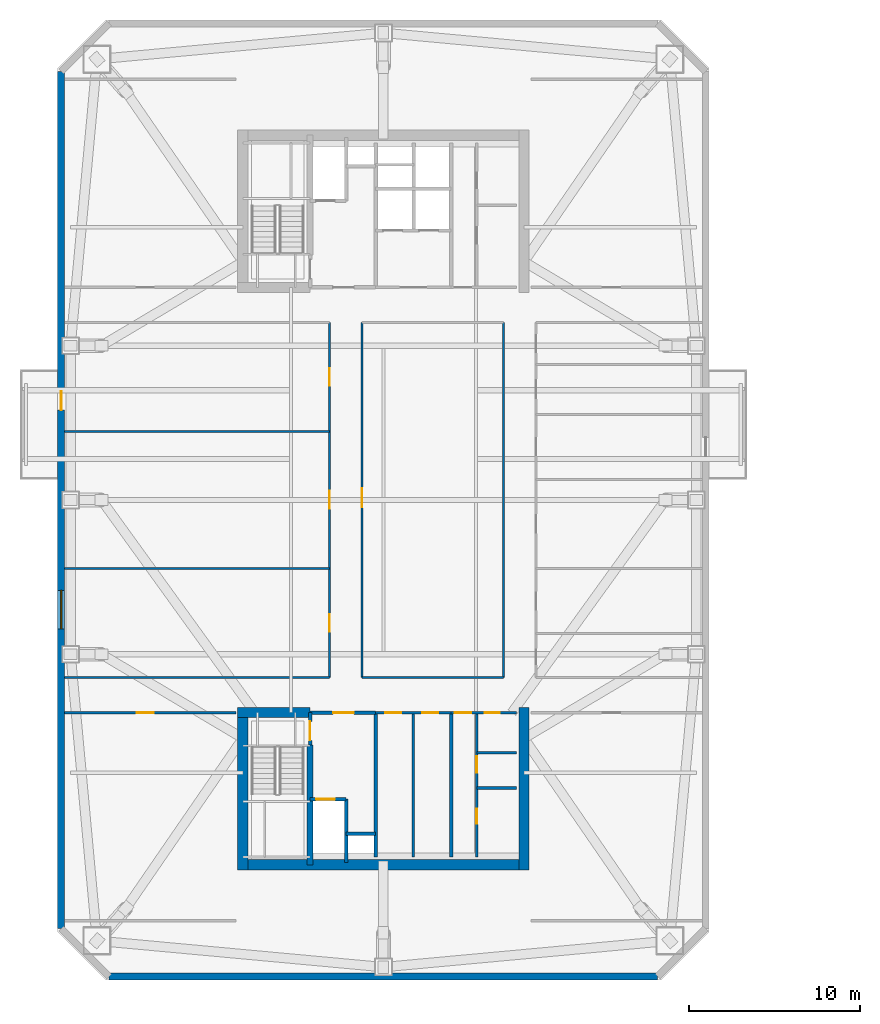
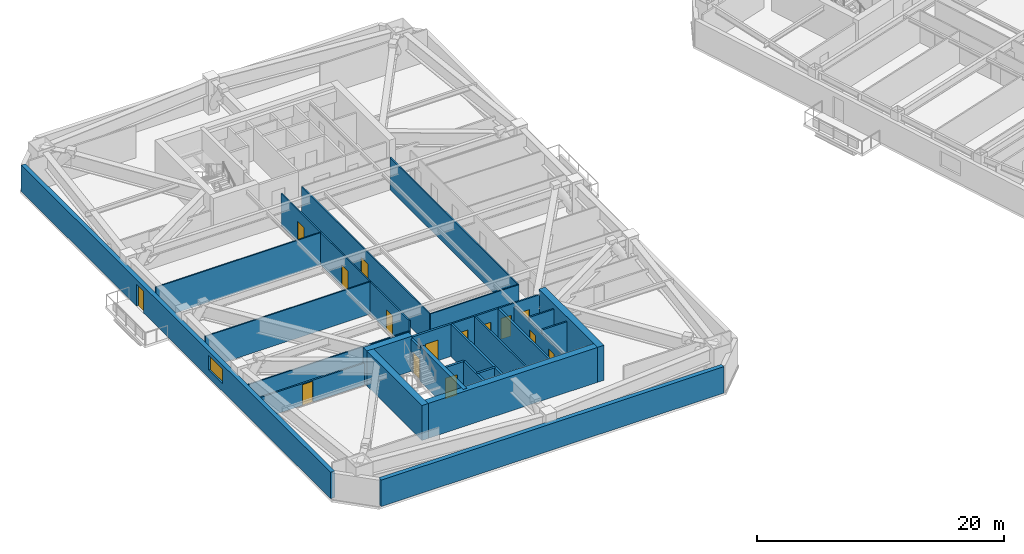
# One storey, part 6 of 17: 28 walls, 15 doors, 1 window, 16 openings.
"""IFC4 building model written with IfcOpenShell, lengths in metres."""

from ifc_helpers import new_model, si_unit, direction, frame, frame_2d, origin, place, context, subcontext, project, spatial, rectangle, extrude, material, layer, layer_set, type_object, element, fill, save


model = new_model("IFC4")

# Units and contexts
model_context = context("Model", 3, precision=1e-05, world=origin(), true_north=direction((0.0, 1.0)))
body_context = subcontext(model_context, "Body", "Model", "MODEL_VIEW")
ifc_project = project(units=[si_unit("LENGTHUNIT", "METRE"), si_unit("AREAUNIT", "SQUARE_METRE"), si_unit("VOLUMEUNIT", "CUBIC_METRE"), si_unit("PLANEANGLEUNIT", "RADIAN"), si_unit("MASSUNIT", "GRAM", prefix="KILO")], contexts=[model_context])

# Site, building, storey
site_placement = place(None, origin())
site = spatial("IfcSite", under=ifc_project, at=site_placement, CompositionType="ELEMENT")
building_placement = place(site_placement, origin())
building = spatial("IfcBuilding", under=site, at=building_placement, Name="Qiaolan Cultural Towers", CompositionType="ELEMENT")
storey_placement = place(building_placement, frame((0.0, 0.0, 156.39990234375)))
storey = spatial("IfcBuildingStorey", under=building, at=storey_placement, Name="L41", CompositionType="ELEMENT", Elevation=156.39990234375)

# Walls
ifc_material_1 = material(Name="Concrete C50", Category="concrete")
ifc_layer_1 = layer(ifc_material_1, 0.35009765625)
ifc_layer_set_1 = layer_set([ifc_layer_1], Name="Concrete C50")
wall_type_1 = type_object("IfcWallType", Name="WL-CORE-350", PredefinedType="SHEAR", material=ifc_layer_set_1)
wall_1_placement = place(storey_placement, frame((25.719970703125, 19.699951171875, 0.0), z_axis=(0.0, 0.0, 1.0), x_axis=(0.0, -1.0, 0.0)))
element("IfcWall", 1, at=wall_1_placement, inside=storey, type_object=wall_type_1, Name="L41 T1-CS Stair Core Dividing Web", PredefinedType="SHEAR", context=body_context, shape_type="SweptSolid", body=[
    extrude(rectangle(XDim=6.97998046875, YDim=0.35009765625, at=frame_2d((3.489990234375, 0.0))), origin(), (0.0, 0.0, 1.0), 3.4501953125),
])
ifc_material_2 = material(Name="Concrete C55", Category="concrete")
ifc_layer_2 = layer(ifc_material_2, 0.60009765625)
ifc_layer_set_2 = layer_set([ifc_layer_2], Name="Concrete C55")
wall_type_2 = type_object("IfcWallType", Name="WL-CORE-600", PredefinedType="SHEAR", material=ifc_layer_set_2)
wall_2_placement = place(storey_placement, frame((21.5, 12.719970703125, 0.0), z_axis=(0.0, 0.0, 1.0), x_axis=(1.0, 0.0, 0.0)))
element("IfcWall", 2, at=wall_2_placement, inside=storey, type_object=wall_type_2, Name="L41 T1-CS Outer Core Shear Wall", PredefinedType="SHEAR", context=body_context, shape_type="SweptSolid", body=[
    extrude(rectangle(XDim=17.0, YDim=0.60009765625, at=frame_2d((8.5, 0.0))), origin(), (0.0, 0.0, 1.0), 3.4501953125),
])
for number, where, z_axis, x_axis, name in (
    (3, (21.800048828125, 21.89990234375, 0.0), (0.0, 0.0, 1.0), (0.0, -1.0, 0.0), "L41 T1-CS West Core Shear Wall"),
    (4, (38.199951171875, 21.89990234375, 0.0), (0.0, 0.0, 1.0), (0.0, -1.0, 0.0), "L41 T1-CS East Core Shear Wall"),
):
    element("IfcWall", number, at=place(storey_placement, frame(where, z_axis=z_axis, x_axis=x_axis)), inside=storey, type_object=wall_type_2, Name=name, PredefinedType="SHEAR", context=body_context, shape_type="SweptSolid", body=[
        extrude(rectangle(XDim=9.47998046875, YDim=0.60009765625, at=frame_2d((4.739990234375, 0.0))), origin(), (0.0, 0.0, 1.0), 3.4501953125),
    ])
wall_3_placement = place(storey_placement, frame((21.5, 21.60009765625, 0.0), z_axis=(0.0, 0.0, 1.0), x_axis=(1.0, 0.0, 0.0)))
element("IfcWall", 5, at=wall_3_placement, inside=storey, type_object=wall_type_2, Name="L41 T1-CS Stair Front Shear Wall", PredefinedType="SHEAR", context=body_context, shape_type="SweptSolid", body=[
    extrude(rectangle(XDim=4.219970703125, YDim=0.60009765625, at=frame_2d((2.10986328125, 0.0))), origin(), (0.0, 0.0, 1.0), 3.4501953125),
])

# Wall, openings, door, window
ifc_material_3 = material(Name="Precast Concrete C50 Honed Stone Pier", Category="masonry")
ifc_layer_3 = layer(ifc_material_3, 0.39990234375)
ifc_layer_set_3 = layer_set([ifc_layer_3], Name="Precast Concrete C50 Honed Stone Pier")
wall_type_3 = type_object("IfcWallType", Name="WL-EXT-PIER-400", PredefinedType="SOLIDWALL", material=ifc_layer_set_3)
wall_4_placement = place(storey_placement, frame((11.199951171875, 9.0, 0.0), z_axis=(0.0, 0.0, 1.0), x_axis=(0.0, 1.0, 0.0)))
wall_4 = element("IfcWall", 6, at=wall_4_placement, inside=storey, type_object=wall_type_3, Name="L41 West Tower Precast Pier Facade Wall F1", PredefinedType="SOLIDWALL", context=body_context, shape_type="SweptSolid", body=[
    extrude(rectangle(XDim=50.0, YDim=0.39990234375, at=frame_2d((25.0, 0.0))), origin(), (0.0, 0.0, 1.0), 2.610107421875),
])
opening_1_placement = place(wall_4_placement, frame((17.47509765625, 0.0, 0.75)))
opening_1 = element("IfcOpeningElement", 7, at=opening_1_placement, cuts=wall_4, Name="Opening W-03", PredefinedType="OPENING", context=body_context, shape_type="SweptSolid", body=[
    extrude(rectangle(XDim=2.25, YDim=1.4599609375, at=frame_2d((1.125, 0.72998046875))), frame((0.0, 0.2099609375, 0.0), z_axis=(0.0, -1.0, 0.0), x_axis=(1.0, 0.0, 0.0)), (0.0, 0.0, 1.0), 0.419921875),
])
opening_2_placement = place(wall_4_placement, frame((30.25, 0.0, 0.0)))
opening_2 = element("IfcOpeningElement", 8, at=opening_2_placement, cuts=wall_4, Name="Opening BD-01", PredefinedType="OPENING", context=body_context, shape_type="SweptSolid", body=[
    extrude(rectangle(XDim=1.10009765625, YDim=2.14990234375, at=frame_2d((0.550048828125, 1.074951171875))), frame((0.0, 0.2099609375, 0.0), z_axis=(0.0, -1.0, 0.0), x_axis=(1.0, 0.0, 0.0)), (0.0, 0.0, 1.0), 0.419921875),
])
ifc_material_4 = material(Name="Thermally Broken Aluminium Glazed Terrace Door", Category="aluminium")
door_type_1 = type_object("IfcDoorType", Name="DR-BAL-1100", OperationType="NOTDEFINED", PredefinedType="DOOR", material=ifc_material_4)
door_1_placement = place(opening_2_placement, origin())
door_1 = element("IfcDoor", 9, at=door_1_placement, inside=storey, type_object=door_type_1, Name="L41 T1 West Tree Balcony Door", OperationType="SINGLE_SWING_LEFT", OverallHeight=2.14990234375, OverallWidth=1.10009765625, PredefinedType="DOOR", context=body_context, shape_type="SweptSolid", body=[
    extrude(rectangle(XDim=1.10009765625, YDim=2.14990234375, at=frame_2d((0.550048828125, 1.074951171875))), frame((0.0, 0.02490234375, 0.0), z_axis=(0.0, -1.0, 0.0), x_axis=(1.0, 0.0, 0.0)), (0.0, 0.0, 1.0), 0.050048828125),
])
fill(opening_2, door_1)
ifc_material_5 = material(Name="Thermally Broken Aluminium Triple Low-E Glazing", Category="aluminium")
window_type = type_object("IfcWindowType", Name="WN-CHIC-2250", PartitioningType="SINGLE_PANEL", PredefinedType="WINDOW", material=ifc_material_5)
window_placement = place(opening_1_placement, origin())
window = element("IfcWindow", 10, at=window_placement, inside=storey, type_object=window_type, Name="L41 T1 W Chicago Bay Window 1", OverallHeight=1.4599609375, OverallWidth=2.25, PartitioningType="TRIPLE_PANEL_VERTICAL", PredefinedType="WINDOW", context=body_context, shape_type="SweptSolid", body=[
    extrude(rectangle(XDim=2.25, YDim=1.4599609375, at=frame_2d((1.125, 0.72998046875))), frame((0.0, 0.030029296875, 0.0), z_axis=(0.0, -1.0, 0.0), x_axis=(1.0, 0.0, 0.0)), (0.0, 0.0, 1.0), 0.06005859375),
])
fill(opening_1, window)

# Wall
wall_5_placement = place(storey_placement, frame((46.0, 6.199951171875, 0.0), z_axis=(0.0, 0.0, 1.0), x_axis=(-1.0, 0.0, 0.0)))
element("IfcWall", 11, at=wall_5_placement, inside=storey, type_object=wall_type_3, Name="L41 West Tower Precast Pier Facade Wall F7", PredefinedType="SOLIDWALL", context=body_context, shape_type="SweptSolid", body=[
    extrude(rectangle(XDim=32.0, YDim=0.39990234375, at=frame_2d((16.0, 0.0))), origin(), (0.0, 0.0, 1.0), 2.610107421875),
])

# Wall, opening, door
ifc_material_6 = material(Name="Concrete C35 Fire Wall", Category="concrete")
ifc_layer_4 = layer(ifc_material_6, 0.199951171875)
ifc_layer_set_4 = layer_set([ifc_layer_4], Name="Concrete C35 Fire Wall")
wall_type_4 = type_object("IfcWallType", Name="WL-FIRE-200", PredefinedType="PARTITIONING", material=ifc_layer_set_4)
wall_6_placement = place(storey_placement, frame((25.719970703125, 21.60009765625, 0.0), z_axis=(0.0, 0.0, 1.0), x_axis=(0.0, -1.0, 0.0)))
wall_6 = element("IfcWall", 12, at=wall_6_placement, inside=storey, type_object=wall_type_4, Name="L41 T1-CS Smokeproof Stair Entry Wall", PredefinedType="PARTITIONING", context=body_context, shape_type="SweptSolid", body=[
    extrude(rectangle(XDim=1.900146484375, YDim=0.199951171875, at=frame_2d((0.9501953125, 0.0))), origin(), (0.0, 0.0, 1.0), 3.175048828125),
])
opening_3_placement = place(wall_6_placement, frame((0.52001953125, 0.0, 0.0)))
opening_3 = element("IfcOpeningElement", 13, at=opening_3_placement, cuts=wall_6, Name="Opening FD-04", PredefinedType="OPENING", context=body_context, shape_type="SweptSolid", body=[
    extrude(rectangle(XDim=1.10009765625, YDim=2.050048828125, at=frame_2d((0.550048828125, 1.02490234375))), frame((0.0, 0.10986328125, 0.0), z_axis=(0.0, -1.0, 0.0), x_axis=(1.0, 0.0, 0.0)), (0.0, 0.0, 1.0), 0.219970703125),
])
ifc_material_7 = material(Name="Galvanized Steel Command Fire Door", Category="steel")
door_type_2 = type_object("IfcDoorType", Name="DR-FD90-1100", OperationType="NOTDEFINED", PredefinedType="DOOR", material=ifc_material_7)
door_2_placement = place(opening_3_placement, origin())
door_2 = element("IfcDoor", 14, at=door_2_placement, inside=storey, type_object=door_type_2, Name="L41 ST-W1 Smokeproof Stair Fire Door", OperationType="SINGLE_SWING_LEFT", OverallHeight=2.050048828125, OverallWidth=1.10009765625, PredefinedType="DOOR", context=body_context, shape_type="SweptSolid", body=[
    extrude(rectangle(XDim=1.10009765625, YDim=2.050048828125, at=frame_2d((0.550048828125, 1.02490234375))), frame((0.0, 0.02490234375, 0.0), z_axis=(0.0, -1.0, 0.0), x_axis=(1.0, 0.0, 0.0)), (0.0, 0.0, 1.0), 0.050048828125),
])
fill(opening_3, door_2)

# Wall
wall_7_placement = place(storey_placement, frame((29.550048828125, 21.60009765625, 0.0), z_axis=(0.0, 0.0, 1.0), x_axis=(0.0, -1.0, 0.0)))
element("IfcWall", 15, at=wall_7_placement, inside=storey, type_object=wall_type_4, Name="L41 T1-CS Firefighting Zone Wall", PredefinedType="PARTITIONING", context=body_context, shape_type="SweptSolid", body=[
    extrude(rectangle(XDim=8.43017578125, YDim=0.199951171875, at=frame_2d((4.215087890625, 0.0))), origin(), (0.0, 0.0, 1.0), 3.175048828125),
])

# Wall, opening, door
wall_8_placement = place(storey_placement, frame((25.719970703125, 21.60009765625, 0.0), z_axis=(0.0, 0.0, 1.0), x_axis=(1.0, 0.0, 0.0)))
wall_8 = element("IfcWall", 16, at=wall_8_placement, inside=storey, type_object=wall_type_4, Name="L41 T1-CS Firefighting Lobby Front Wall", PredefinedType="PARTITIONING", context=body_context, shape_type="SweptSolid", body=[
    extrude(rectangle(XDim=3.830078125, YDim=0.199951171875, at=frame_2d((1.9150390625, 0.0))), origin(), (0.0, 0.0, 1.0), 3.175048828125),
])
opening_4_placement = place(wall_8_placement, frame((1.35009765625, 0.0, 0.0)))
opening_4 = element("IfcOpeningElement", 17, at=opening_4_placement, cuts=wall_8, Name="Opening FD-03", PredefinedType="OPENING", context=body_context, shape_type="SweptSolid", body=[
    extrude(rectangle(XDim=1.199951171875, YDim=2.050048828125, at=frame_2d((0.60009765625, 1.02490234375))), frame((0.0, 0.10986328125, 0.0), z_axis=(0.0, -1.0, 0.0), x_axis=(1.0, 0.0, 0.0)), (0.0, 0.0, 1.0), 0.219970703125),
])
ifc_material_8 = material(Name="Galvanized Steel Smokeproof Lobby Fire Door", Category="steel")
door_type_3 = type_object("IfcDoorType", Name="DR-FD90-1200", OperationType="NOTDEFINED", PredefinedType="DOOR", material=ifc_material_8)
door_3_placement = place(opening_4_placement, origin())
door_3 = element("IfcDoor", 18, at=door_3_placement, inside=storey, type_object=door_type_3, Name="L41 FFL-W1 Firefighting Lobby Fire Door", OperationType="SINGLE_SWING_LEFT", OverallHeight=2.050048828125, OverallWidth=1.199951171875, PredefinedType="DOOR", context=body_context, shape_type="SweptSolid", body=[
    extrude(rectangle(XDim=1.199951171875, YDim=2.050048828125, at=frame_2d((0.60009765625, 1.02490234375))), frame((0.0, 0.02490234375, 0.0), z_axis=(0.0, -1.0, 0.0), x_axis=(1.0, 0.0, 0.0)), (0.0, 0.0, 1.0), 0.050048828125),
])
fill(opening_4, door_3)

wall_9_placement = place(storey_placement, frame((25.719970703125, 16.550048828125, 0.0), z_axis=(0.0, 0.0, 1.0), x_axis=(1.0, 0.0, 0.0)))
wall_9 = element("IfcWall", 19, at=wall_9_placement, inside=storey, type_object=wall_type_4, Name="L41 T1-CS Firefighting Shaft Front Wall", PredefinedType="PARTITIONING", context=body_context, shape_type="SweptSolid", body=[
    extrude(rectangle(XDim=2.10009765625, YDim=0.199951171875, at=frame_2d((1.050048828125, 0.0))), origin(), (0.0, 0.0, 1.0), 3.175048828125),
])
opening_5_placement = place(wall_9_placement, frame((0.35009765625, 0.0, 0.0)))
opening_5 = element("IfcOpeningElement", 20, at=opening_5_placement, cuts=wall_9, Name="Opening LD-01", PredefinedType="OPENING", context=body_context, shape_type="SweptSolid", body=[
    extrude(rectangle(XDim=1.10009765625, YDim=2.050048828125, at=frame_2d((0.550048828125, 1.02490234375))), frame((0.0, 0.10986328125, 0.0), z_axis=(0.0, -1.0, 0.0), x_axis=(1.0, 0.0, 0.0)), (0.0, 0.0, 1.0), 0.219970703125),
])
ifc_material_9 = material(Name="Brushed Stainless Steel S30408 Centre-Parting Lift Landing Door", Category="steel")
door_type_4 = type_object("IfcDoorType", Name="DR-LIFT-1100", OperationType="NOTDEFINED", PredefinedType="DOOR", material=ifc_material_9)
door_4_placement = place(opening_5_placement, origin())
door_4 = element("IfcDoor", 21, at=door_4_placement, inside=storey, type_object=door_type_4, Name="L41 FFL-W1 Firefighting Lift Landing Door", OperationType="DOUBLE_DOOR_SLIDING", OverallHeight=2.050048828125, OverallWidth=1.10009765625, PredefinedType="DOOR", context=body_context, shape_type="SweptSolid", body=[
    extrude(rectangle(XDim=1.10009765625, YDim=2.050048828125, at=frame_2d((0.550048828125, 1.02490234375))), frame((0.0, 0.02490234375, 0.0), z_axis=(0.0, -1.0, 0.0), x_axis=(1.0, 0.0, 0.0)), (0.0, 0.0, 1.0), 0.050048828125),
])
fill(opening_5, door_4)

# Walls
wall_10_placement = place(storey_placement, frame((27.820068359375, 16.550048828125, 0.0), z_axis=(0.0, 0.0, 1.0), x_axis=(0.0, -1.0, 0.0)))
element("IfcWall", 22, at=wall_10_placement, inside=storey, type_object=wall_type_4, Name="L41 T1-CS Firefighting Hoistway East Wall", PredefinedType="PARTITIONING", context=body_context, shape_type="SweptSolid", body=[
    extrude(rectangle(XDim=3.699951171875, YDim=0.199951171875, at=frame_2d((1.85009765625, 0.0))), origin(), (0.0, 0.0, 1.0), 3.175048828125),
])
wall_11_placement = place(storey_placement, frame((27.820068359375, 14.52001953125, 0.0), z_axis=(0.0, 0.0, 1.0), x_axis=(1.0, 0.0, 0.0)))
element("IfcWall", 23, at=wall_11_placement, inside=storey, type_object=wall_type_4, Name="L41 T1-CS Pressurization Shaft Front Wall", PredefinedType="PARTITIONING", context=body_context, shape_type="SweptSolid", body=[
    extrude(rectangle(XDim=1.72998046875, YDim=0.199951171875, at=frame_2d((0.864990234375, 0.0))), origin(), (0.0, 0.0, 1.0), 3.175048828125),
])
wall_12_placement = place(storey_placement, frame((33.949951171875, 21.60009765625, 0.0), z_axis=(0.0, 0.0, 1.0), x_axis=(0.0, -1.0, 0.0)))
element("IfcWall", 24, at=wall_12_placement, inside=storey, type_object=wall_type_4, Name="L41 T1-CS Lift Core East Wall", PredefinedType="PARTITIONING", context=body_context, shape_type="SweptSolid", body=[
    extrude(rectangle(XDim=8.43017578125, YDim=0.199951171875, at=frame_2d((4.215087890625, 0.0))), origin(), (0.0, 0.0, 1.0), 3.175048828125),
])
ifc_material_10 = material(Name="Gypsum Stud Acoustic Partition", Category="gypsum")
ifc_layer_5 = layer(ifc_material_10, 0.1201171875)
ifc_layer_set_5 = layer_set([ifc_layer_5], Name="Gypsum Stud Acoustic Partition")
wall_type_5 = type_object("IfcWallType", Name="WL-PART-120", PredefinedType="PARTITIONING", material=ifc_layer_set_5)
wall_13_placement = place(storey_placement, frame((11.39990234375, 23.64990234375, 0.0), z_axis=(0.0, 0.0, 1.0), x_axis=(1.0, 0.0, 0.0)))
element("IfcWall", 25, at=wall_13_placement, inside=storey, type_object=wall_type_5, Name="L41 T1 Interior Wall", PredefinedType="PARTITIONING", context=body_context, shape_type="SweptSolid", body=[
    extrude(rectangle(XDim=15.4501953125, YDim=0.1201171875, at=frame_2d((7.72509765625, 0.0))), origin(), (0.0, 0.0, 1.0), 2.150146484375),
])
wall_14_placement = place(storey_placement, frame((28.75, 23.64990234375, 0.0), z_axis=(0.0, 0.0, 1.0), x_axis=(1.0, 0.0, 0.0)))
element("IfcWall", 26, at=wall_14_placement, inside=storey, type_object=wall_type_5, Name="L41 T1 Interior Wall", PredefinedType="PARTITIONING", context=body_context, shape_type="SweptSolid", body=[
    extrude(rectangle(XDim=8.25, YDim=0.1201171875, at=frame_2d((4.125, 0.0))), origin(), (0.0, 0.0, 1.0), 3.175048828125),
])

# Wall, openings, doors
wall_15_placement = place(storey_placement, frame((26.85009765625, 23.64990234375, 0.0), z_axis=(0.0, 0.0, 1.0), x_axis=(0.0, 1.0, 0.0)))
wall_15 = element("IfcWall", 27, at=wall_15_placement, inside=storey, type_object=wall_type_5, Name="L41 T1 Interior Wall", PredefinedType="PARTITIONING", context=body_context, shape_type="SweptSolid", body=[
    extrude(rectangle(XDim=20.7001953125, YDim=0.1201171875, at=frame_2d((10.35009765625, 0.0))), origin(), (0.0, 0.0, 1.0), 3.175048828125),
])
opening_6_placement = place(wall_15_placement, frame((2.675048828125, 0.0, 0.0)))
opening_6 = element("IfcOpeningElement", 28, at=opening_6_placement, cuts=wall_15, Name="Opening ID-04", PredefinedType="OPENING", context=body_context, shape_type="SweptSolid", body=[
    extrude(rectangle(XDim=1.0, YDim=2.050048828125, at=frame_2d((0.5, 1.02490234375))), frame((0.0, 0.070068359375, 0.0), z_axis=(0.0, -1.0, 0.0), x_axis=(1.0, 0.0, 0.0)), (0.0, 0.0, 1.0), 0.14013671875),
])
opening_7_placement = place(wall_15_placement, frame((9.85009765625, 0.0, 0.0)))
opening_7 = element("IfcOpeningElement", 29, at=opening_7_placement, cuts=wall_15, Name="Opening ID-07", PredefinedType="OPENING", context=body_context, shape_type="SweptSolid", body=[
    extrude(rectangle(XDim=1.050048828125, YDim=2.050048828125, at=frame_2d((0.52490234375, 1.02490234375))), frame((0.0, 0.070068359375, 0.0), z_axis=(0.0, -1.0, 0.0), x_axis=(1.0, 0.0, 0.0)), (0.0, 0.0, 1.0), 0.14013671875),
])
opening_8_placement = place(wall_15_placement, frame((17.02490234375, 0.0, 0.0)))
opening_8 = element("IfcOpeningElement", 30, at=opening_8_placement, cuts=wall_15, Name="Opening ID-04", PredefinedType="OPENING", context=body_context, shape_type="SweptSolid", body=[
    extrude(rectangle(XDim=1.0, YDim=2.050048828125, at=frame_2d((0.5, 1.02490234375))), frame((0.0, 0.070068359375, 0.0), z_axis=(0.0, -1.0, 0.0), x_axis=(1.0, 0.0, 0.0)), (0.0, 0.0, 1.0), 0.14013671875),
])
ifc_material_11 = material(Name="Oak Veneer Acoustic Office Door", Category="timber")
door_type_5 = type_object("IfcDoorType", Name="DR-INT-1000", OperationType="NOTDEFINED", PredefinedType="DOOR", material=ifc_material_11)
door_5_placement = place(opening_6_placement, origin())
door_5 = element("IfcDoor", 31, at=door_5_placement, inside=storey, type_object=door_type_5, Name="L41 T1 Members Sky Club Door", OperationType="SINGLE_SWING_LEFT", OverallHeight=2.050048828125, OverallWidth=1.0, PredefinedType="DOOR", context=body_context, shape_type="SweptSolid", body=[
    extrude(rectangle(XDim=1.0, YDim=2.050048828125, at=frame_2d((0.5, 1.02490234375))), frame((0.0, 0.02490234375, 0.0), z_axis=(0.0, -1.0, 0.0), x_axis=(1.0, 0.0, 0.0)), (0.0, 0.0, 1.0), 0.050048828125),
])
fill(opening_6, door_5)
door_6_placement = place(opening_8_placement, origin())
door_6 = element("IfcDoor", 32, at=door_6_placement, inside=storey, type_object=door_type_5, Name="L41 T1 Members Sky Club Door", OperationType="SINGLE_SWING_LEFT", OverallHeight=2.050048828125, OverallWidth=1.0, PredefinedType="DOOR", context=body_context, shape_type="SweptSolid", body=[
    extrude(rectangle(XDim=1.0, YDim=2.050048828125, at=frame_2d((0.5, 1.02490234375))), frame((0.0, 0.02490234375, 0.0), z_axis=(0.0, -1.0, 0.0), x_axis=(1.0, 0.0, 0.0)), (0.0, 0.0, 1.0), 0.050048828125),
])
fill(opening_8, door_6)
ifc_material_12 = material(Name="Oak Veneer Consultation Door", Category="timber")
door_type_6 = type_object("IfcDoorType", Name="DR-INT-1050", OperationType="NOTDEFINED", PredefinedType="DOOR", material=ifc_material_12)
door_7_placement = place(opening_7_placement, origin())
door_7 = element("IfcDoor", 33, at=door_7_placement, inside=storey, type_object=door_type_6, Name="L41 T1 Members Sky Club Door", OperationType="SINGLE_SWING_RIGHT", OverallHeight=2.050048828125, OverallWidth=1.050048828125, PredefinedType="DOOR", context=body_context, shape_type="SweptSolid", body=[
    extrude(rectangle(XDim=1.050048828125, YDim=2.050048828125, at=frame_2d((0.52490234375, 1.02490234375))), frame((0.0, 0.02490234375, 0.0), z_axis=(0.0, -1.0, 0.0), x_axis=(1.0, 0.0, 0.0)), (0.0, 0.0, 1.0), 0.050048828125),
])
fill(opening_7, door_7)

# Wall, opening, door
wall_16_placement = place(storey_placement, frame((28.75, 23.64990234375, 0.0), z_axis=(0.0, 0.0, 1.0), x_axis=(0.0, 1.0, 0.0)))
wall_16 = element("IfcWall", 34, at=wall_16_placement, inside=storey, type_object=wall_type_5, Name="L41 T1 Interior Wall", PredefinedType="PARTITIONING", context=body_context, shape_type="SweptSolid", body=[
    extrude(rectangle(XDim=20.7001953125, YDim=0.1201171875, at=frame_2d((10.35009765625, 0.0))), origin(), (0.0, 0.0, 1.0), 3.175048828125),
])
opening_9_placement = place(wall_16_placement, frame((9.93603515625, 0.0, 0.0)))
opening_9 = element("IfcOpeningElement", 35, at=opening_9_placement, cuts=wall_16, Name="Opening ID-03", PredefinedType="OPENING", context=body_context, shape_type="SweptSolid", body=[
    extrude(rectangle(XDim=1.10009765625, YDim=2.050048828125, at=frame_2d((0.550048828125, 1.02490234375))), frame((0.0, 0.070068359375, 0.0), z_axis=(0.0, -1.0, 0.0), x_axis=(1.0, 0.0, 0.0)), (0.0, 0.0, 1.0), 0.14013671875),
])
ifc_material_13 = material(Name="Oak Veneer Solid-Core Boardroom Door", Category="timber")
door_type_7 = type_object("IfcDoorType", Name="DR-INT-1100", OperationType="NOTDEFINED", PredefinedType="DOOR", material=ifc_material_13)
door_8_placement = place(opening_9_placement, origin())
door_8 = element("IfcDoor", 36, at=door_8_placement, inside=storey, type_object=door_type_7, Name="L41 T1 Central Colloquium Hall Door", OperationType="SINGLE_SWING_LEFT", OverallHeight=2.050048828125, OverallWidth=1.10009765625, PredefinedType="DOOR", context=body_context, shape_type="SweptSolid", body=[
    extrude(rectangle(XDim=1.10009765625, YDim=2.050048828125, at=frame_2d((0.550048828125, 1.02490234375))), frame((0.0, 0.02490234375, 0.0), z_axis=(0.0, -1.0, 0.0), x_axis=(1.0, 0.0, 0.0)), (0.0, 0.0, 1.0), 0.050048828125),
])
fill(opening_9, door_8)

# Walls
wall_17_placement = place(storey_placement, frame((37.0, 23.64990234375, 0.0), z_axis=(0.0, 0.0, 1.0), x_axis=(0.0, 1.0, 0.0)))
element("IfcWall", 37, at=wall_17_placement, inside=storey, type_object=wall_type_5, Name="L41 T1 Interior Wall", PredefinedType="PARTITIONING", context=body_context, shape_type="SweptSolid", body=[
    extrude(rectangle(XDim=20.7001953125, YDim=0.1201171875, at=frame_2d((10.35009765625, 0.0))), origin(), (0.0, 0.0, 1.0), 3.175048828125),
])
for number, where, z_axis, x_axis, name in (
    (38, (11.39990234375, 30.0, 0.0), (0.0, 0.0, 1.0), (1.0, 0.0, 0.0), "L41 T1 Interior Wall"),
    (39, (11.39990234375, 38.0, 0.0), (0.0, 0.0, 1.0), (1.0, 0.0, 0.0), "L41 T1 Interior Wall"),
):
    element("IfcWall", number, at=place(storey_placement, frame(where, z_axis=z_axis, x_axis=x_axis)), inside=storey, type_object=wall_type_5, Name=name, PredefinedType="PARTITIONING", context=body_context, shape_type="SweptSolid", body=[
        extrude(rectangle(XDim=15.4501953125, YDim=0.1201171875, at=frame_2d((7.72509765625, 0.0))), origin(), (0.0, 0.0, 1.0), 3.175048828125),
    ])

# Wall, openings, doors
ifc_material_14 = material(Name="Autoclaved Aerated Concrete Block B06", Category="concrete")
ifc_layer_6 = layer(ifc_material_14, 0.14990234375)
ifc_layer_set_6 = layer_set([ifc_layer_6], Name="Autoclaved Aerated Concrete Block B06")
wall_type_6 = type_object("IfcWallType", Name="WL-PART-150", PredefinedType="PARTITIONING", material=ifc_layer_set_6)
wall_18_placement = place(storey_placement, frame((29.550048828125, 21.60009765625, 0.0), z_axis=(0.0, 0.0, 1.0), x_axis=(1.0, 0.0, 0.0)))
wall_18 = element("IfcWall", 40, at=wall_18_placement, inside=storey, type_object=wall_type_6, Name="L41 T1-CS Reclaimed Core Room Front Wall", PredefinedType="PARTITIONING", context=body_context, shape_type="SweptSolid", body=[
    extrude(rectangle(XDim=4.39990234375, YDim=0.14990234375, at=frame_2d((2.199951171875, 0.0))), origin(), (0.0, 0.0, 1.0), 3.175048828125),
])
opening_10_placement = place(wall_18_placement, frame((0.550048828125, 0.0, 0.0)))
opening_10 = element("IfcOpeningElement", 41, at=opening_10_placement, cuts=wall_18, Name="Opening ID-05", PredefinedType="OPENING", context=body_context, shape_type="SweptSolid", body=[
    extrude(rectangle(XDim=0.949951171875, YDim=2.050048828125, at=frame_2d((0.47509765625, 1.02490234375))), frame((0.0, 0.0849609375, 0.0), z_axis=(0.0, -1.0, 0.0), x_axis=(1.0, 0.0, 0.0)), (0.0, 0.0, 1.0), 0.169921875),
])
opening_11_placement = place(wall_18_placement, frame((2.699951171875, 0.0, 0.0)))
opening_11 = element("IfcOpeningElement", 42, at=opening_11_placement, cuts=wall_18, Name="Opening ID-05", PredefinedType="OPENING", context=body_context, shape_type="SweptSolid", body=[
    extrude(rectangle(XDim=0.949951171875, YDim=2.050048828125, at=frame_2d((0.47509765625, 1.02490234375))), frame((0.0, 0.0849609375, 0.0), z_axis=(0.0, -1.0, 0.0), x_axis=(1.0, 0.0, 0.0)), (0.0, 0.0, 1.0), 0.169921875),
])
ifc_material_15 = material(Name="Fire-Rated Laminate Accessible Core Door", Category="timber")
door_type_8 = type_object("IfcDoorType", Name="DR-INT-950", OperationType="NOTDEFINED", PredefinedType="DOOR", material=ifc_material_15)
door_9_placement = place(opening_10_placement, origin())
door_9 = element("IfcDoor", 43, at=door_9_placement, inside=storey, type_object=door_type_8, Name="L41 Copy Print Room Door", OperationType="SINGLE_SWING_LEFT", OverallHeight=2.050048828125, OverallWidth=0.949951171875, PredefinedType="DOOR", context=body_context, shape_type="SweptSolid", body=[
    extrude(rectangle(XDim=0.949951171875, YDim=2.050048828125, at=frame_2d((0.47509765625, 1.02490234375))), frame((0.0, 0.02490234375, 0.0), z_axis=(0.0, -1.0, 0.0), x_axis=(1.0, 0.0, 0.0)), (0.0, 0.0, 1.0), 0.050048828125),
])
fill(opening_10, door_9)
door_10_placement = place(opening_11_placement, origin())
door_10 = element("IfcDoor", 44, at=door_10_placement, inside=storey, type_object=door_type_8, Name="L41 Tea Pantry Room Door", OperationType="SINGLE_SWING_RIGHT", OverallHeight=2.050048828125, OverallWidth=0.949951171875, PredefinedType="DOOR", context=body_context, shape_type="SweptSolid", body=[
    extrude(rectangle(XDim=0.949951171875, YDim=2.050048828125, at=frame_2d((0.47509765625, 1.02490234375))), frame((0.0, 0.02490234375, 0.0), z_axis=(0.0, -1.0, 0.0), x_axis=(1.0, 0.0, 0.0)), (0.0, 0.0, 1.0), 0.050048828125),
])
fill(opening_11, door_10)

# Wall
wall_19_placement = place(storey_placement, frame((31.75, 21.60009765625, 0.0), z_axis=(0.0, 0.0, 1.0), x_axis=(0.0, -1.0, 0.0)))
element("IfcWall", 45, at=wall_19_placement, inside=storey, type_object=wall_type_6, Name="L41 T1-CS Reclaimed Twin Room Wall", PredefinedType="PARTITIONING", context=body_context, shape_type="SweptSolid", body=[
    extrude(rectangle(XDim=8.43017578125, YDim=0.14990234375, at=frame_2d((4.215087890625, 0.0))), origin(), (0.0, 0.0, 1.0), 3.175048828125),
])

# Wall, openings, doors
wall_20_placement = place(storey_placement, frame((33.949951171875, 21.60009765625, 0.0), z_axis=(0.0, 0.0, 1.0), x_axis=(1.0, 0.0, 0.0)))
wall_20 = element("IfcWall", 46, at=wall_20_placement, inside=storey, type_object=wall_type_6, Name="L41 T1-CS Sanitary Core Front Wall", PredefinedType="PARTITIONING", context=body_context, shape_type="SweptSolid", body=[
    extrude(rectangle(XDim=3.800048828125, YDim=0.14990234375, at=frame_2d((1.89990234375, 0.0))), origin(), (0.0, 0.0, 1.0), 3.175048828125),
])
opening_12_placement = place(wall_20_placement, frame((0.219970703125, 0.0, 0.0)))
opening_12 = element("IfcOpeningElement", 47, at=opening_12_placement, cuts=wall_20, Name="Opening ID-05", PredefinedType="OPENING", context=body_context, shape_type="SweptSolid", body=[
    extrude(rectangle(XDim=0.949951171875, YDim=2.050048828125, at=frame_2d((0.47509765625, 1.02490234375))), frame((0.0, 0.0849609375, 0.0), z_axis=(0.0, -1.0, 0.0), x_axis=(1.0, 0.0, 0.0)), (0.0, 0.0, 1.0), 0.169921875),
])
opening_13_placement = place(wall_20_placement, frame((1.949951171875, 0.0, 0.0)))
opening_13 = element("IfcOpeningElement", 48, at=opening_13_placement, cuts=wall_20, Name="Opening ID-06", PredefinedType="OPENING", context=body_context, shape_type="SweptSolid", body=[
    extrude(rectangle(XDim=0.89990234375, YDim=2.050048828125, at=frame_2d((0.449951171875, 1.02490234375))), frame((0.0, 0.0849609375, 0.0), z_axis=(0.0, -1.0, 0.0), x_axis=(1.0, 0.0, 0.0)), (0.0, 0.0, 1.0), 0.169921875),
])
ifc_material_16 = material(Name="Fire-Rated Laminate Core Service Door", Category="timber")
door_type_9 = type_object("IfcDoorType", Name="DR-INT-900", OperationType="NOTDEFINED", PredefinedType="DOOR", material=ifc_material_16)
door_11_placement = place(opening_13_placement, origin())
door_11 = element("IfcDoor", 49, at=door_11_placement, inside=storey, type_object=door_type_9, Name="L41 Core Tea Pantry Door", OperationType="SINGLE_SWING_RIGHT", OverallHeight=2.050048828125, OverallWidth=0.89990234375, PredefinedType="DOOR", context=body_context, shape_type="SweptSolid", body=[
    extrude(rectangle(XDim=0.89990234375, YDim=2.050048828125, at=frame_2d((0.449951171875, 1.02490234375))), frame((0.0, 0.02490234375, 0.0), z_axis=(0.0, -1.0, 0.0), x_axis=(1.0, 0.0, 0.0)), (0.0, 0.0, 1.0), 0.050048828125),
])
fill(opening_13, door_11)
door_12_placement = place(opening_12_placement, origin())
door_12 = element("IfcDoor", 50, at=door_12_placement, inside=storey, type_object=door_type_8, Name="L41 Sanitary Passage Door", OperationType="SINGLE_SWING_LEFT", OverallHeight=2.050048828125, OverallWidth=0.949951171875, PredefinedType="DOOR", context=body_context, shape_type="SweptSolid", body=[
    extrude(rectangle(XDim=0.949951171875, YDim=2.050048828125, at=frame_2d((0.47509765625, 1.02490234375))), frame((0.0, 0.02490234375, 0.0), z_axis=(0.0, -1.0, 0.0), x_axis=(1.0, 0.0, 0.0)), (0.0, 0.0, 1.0), 0.050048828125),
])
fill(opening_12, door_12)

wall_21_placement = place(storey_placement, frame((35.449951171875, 21.60009765625, 0.0), z_axis=(0.0, 0.0, 1.0), x_axis=(0.0, -1.0, 0.0)))
wall_21 = element("IfcWall", 51, at=wall_21_placement, inside=storey, type_object=wall_type_6, Name="L41 T1-CS Sanitary Corridor Wall", PredefinedType="PARTITIONING", context=body_context, shape_type="SweptSolid", body=[
    extrude(rectangle(XDim=8.43017578125, YDim=0.14990234375, at=frame_2d((4.215087890625, 0.0))), origin(), (0.0, 0.0, 1.0), 2.815185546875),
])
opening_14_placement = place(wall_21_placement, frame((2.550048828125, 0.0, 0.0)))
opening_14 = element("IfcOpeningElement", 52, at=opening_14_placement, cuts=wall_21, Name="Opening ID-05", PredefinedType="OPENING", context=body_context, shape_type="SweptSolid", body=[
    extrude(rectangle(XDim=0.949951171875, YDim=2.050048828125, at=frame_2d((0.47509765625, 1.02490234375))), frame((0.0, 0.0849609375, 0.0), z_axis=(0.0, -1.0, 0.0), x_axis=(1.0, 0.0, 0.0)), (0.0, 0.0, 1.0), 0.169921875),
])
opening_15_placement = place(wall_21_placement, frame((5.60009765625, 0.0, 0.0)))
opening_15 = element("IfcOpeningElement", 53, at=opening_15_placement, cuts=wall_21, Name="Opening ID-06", PredefinedType="OPENING", context=body_context, shape_type="SweptSolid", body=[
    extrude(rectangle(XDim=0.89990234375, YDim=2.050048828125, at=frame_2d((0.449951171875, 1.02490234375))), frame((0.0, 0.0849609375, 0.0), z_axis=(0.0, -1.0, 0.0), x_axis=(1.0, 0.0, 0.0)), (0.0, 0.0, 1.0), 0.169921875),
])
door_13_placement = place(opening_15_placement, origin())
door_13 = element("IfcDoor", 54, at=door_13_placement, inside=storey, type_object=door_type_9, Name="L41 Staff Restroom Door", OperationType="SINGLE_SWING_RIGHT", OverallHeight=2.050048828125, OverallWidth=0.89990234375, PredefinedType="DOOR", context=body_context, shape_type="SweptSolid", body=[
    extrude(rectangle(XDim=0.89990234375, YDim=2.050048828125, at=frame_2d((0.449951171875, 1.02490234375))), frame((0.0, 0.02490234375, 0.0), z_axis=(0.0, -1.0, 0.0), x_axis=(1.0, 0.0, 0.0)), (0.0, 0.0, 1.0), 0.050048828125),
])
fill(opening_15, door_13)
door_14_placement = place(opening_14_placement, origin())
door_14 = element("IfcDoor", 55, at=door_14_placement, inside=storey, type_object=door_type_8, Name="L41 Accessible Washroom Door", OperationType="SINGLE_SWING_LEFT", OverallHeight=2.050048828125, OverallWidth=0.949951171875, PredefinedType="DOOR", context=body_context, shape_type="SweptSolid", body=[
    extrude(rectangle(XDim=0.949951171875, YDim=2.050048828125, at=frame_2d((0.47509765625, 1.02490234375))), frame((0.0, 0.02490234375, 0.0), z_axis=(0.0, -1.0, 0.0), x_axis=(1.0, 0.0, 0.0)), (0.0, 0.0, 1.0), 0.050048828125),
])
fill(opening_14, door_14)

# Walls
for number, where, z_axis, x_axis, name in (
    (56, (35.449951171875, 17.199951171875, 0.0), (0.0, 0.0, 1.0), (1.0, 0.0, 0.0), "L41 T1-CS Restroom Split Wall"),
    (57, (35.449951171875, 19.25, 0.0), (0.0, 0.0, 1.0), (1.0, 0.0, 0.0), "L41 T1-CS Core Pantry Wall"),
):
    element("IfcWall", number, at=place(storey_placement, frame(where, z_axis=z_axis, x_axis=x_axis)), inside=storey, type_object=wall_type_6, Name=name, PredefinedType="PARTITIONING", context=body_context, shape_type="SweptSolid", body=[
        extrude(rectangle(XDim=2.300048828125, YDim=0.14990234375, at=frame_2d((1.14990234375, 0.0))), origin(), (0.0, 0.0, 1.0), 3.175048828125),
    ])

# Wall, opening, door
wall_22_placement = place(storey_placement, frame((11.39990234375, 21.60009765625, 0.0), z_axis=(0.0, 0.0, 1.0), x_axis=(1.0, 0.0, 0.0)))
wall_22 = element("IfcWall", 58, at=wall_22_placement, inside=storey, type_object=wall_type_6, Name="L41 T1 Flank Front FLK-SW", PredefinedType="PARTITIONING", context=body_context, shape_type="SweptSolid", body=[
    extrude(rectangle(XDim=10.0, YDim=0.14990234375, at=frame_2d((5.0, 0.0))), origin(), (0.0, 0.0, 1.0), 2.150146484375),
])
opening_16_placement = place(wall_22_placement, frame((4.199951171875, 0.0, 0.0)))
opening_16 = element("IfcOpeningElement", 59, at=opening_16_placement, cuts=wall_22, Name="Opening ID-04", PredefinedType="OPENING", context=body_context, shape_type="SweptSolid", body=[
    extrude(rectangle(XDim=1.0, YDim=2.050048828125, at=frame_2d((0.5, 1.02490234375))), frame((0.0, 0.0849609375, 0.0), z_axis=(0.0, -1.0, 0.0), x_axis=(1.0, 0.0, 0.0)), (0.0, 0.0, 1.0), 0.169921875),
])
door_15_placement = place(opening_16_placement, origin())
door_15 = element("IfcDoor", 60, at=door_15_placement, inside=storey, type_object=door_type_5, Name="L41 T1 Corner Studio Door", OperationType="SINGLE_SWING_LEFT", OverallHeight=2.050048828125, OverallWidth=1.0, PredefinedType="DOOR", context=body_context, shape_type="SweptSolid", body=[
    extrude(rectangle(XDim=1.0, YDim=2.050048828125, at=frame_2d((0.5, 1.02490234375))), frame((0.0, 0.02490234375, 0.0), z_axis=(0.0, -1.0, 0.0), x_axis=(1.0, 0.0, 0.0)), (0.0, 0.0, 1.0), 0.050048828125),
])
fill(opening_16, door_15)

save(model, "model.ifc")
